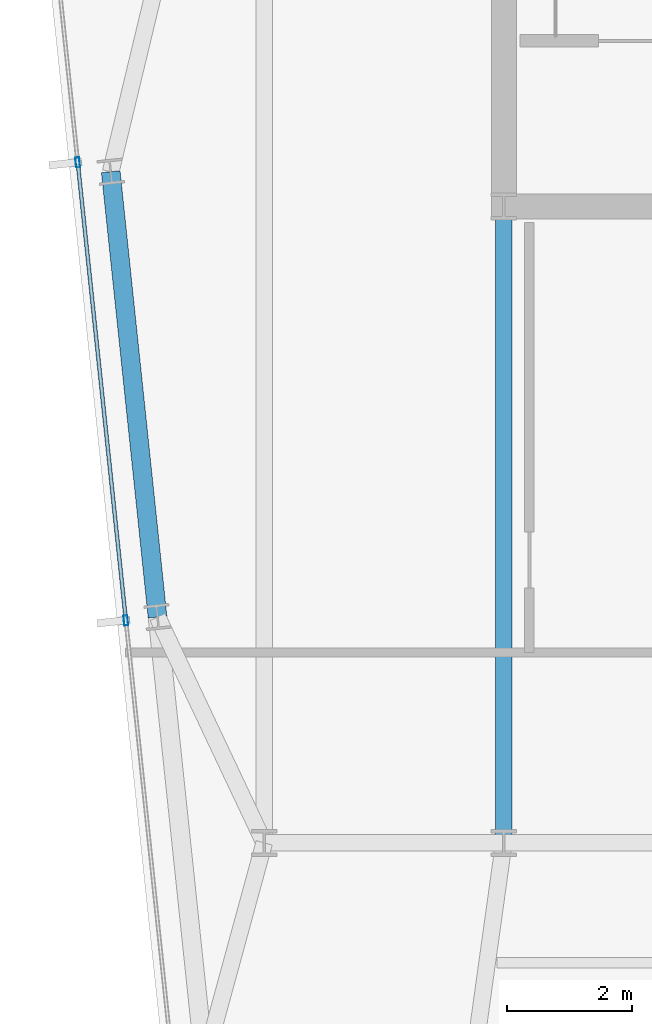
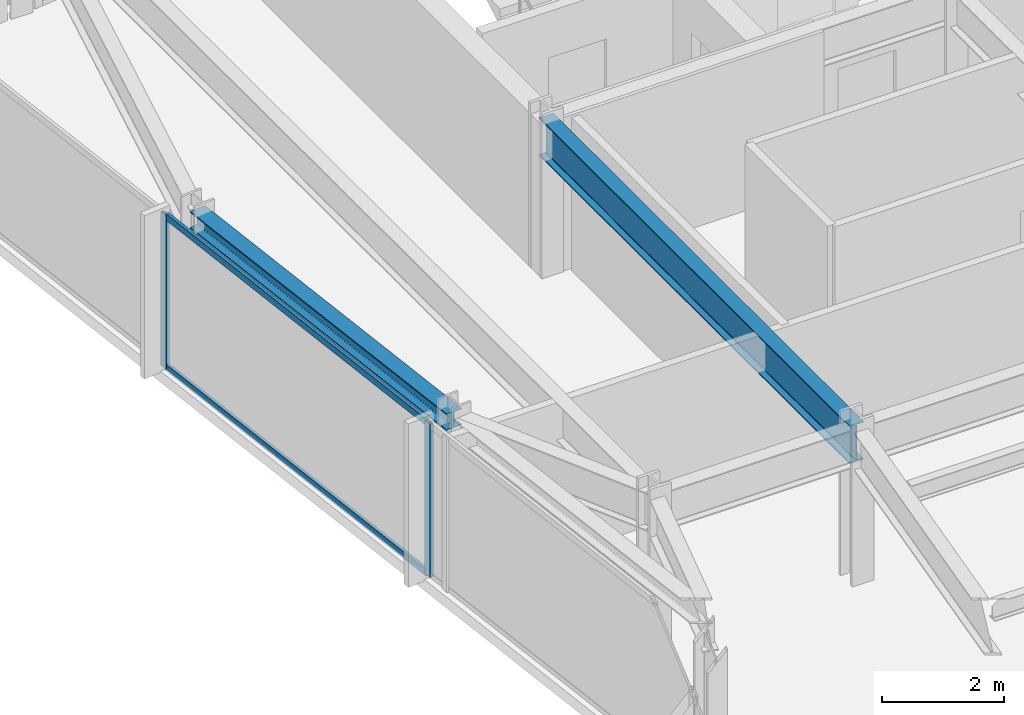
# One storey, part 10 of 32: 4 members, 2 beams, 1 element without a shape of its own.
"""IFC4 building model written with IfcOpenShell, lengths in metres."""

from ifc_helpers import new_model, si_unit, direction, frame, origin, origin_2d, place, context, subcontext, project, spatial, hollow_rectangle, i_section, extrude, material, material_profile, profile_set, type_object, element, aggregate, save


model = new_model("IFC4")

# Units and contexts
model_context = context("Model", 3, precision=1e-05, world=origin(), true_north=direction((0.0, 1.0)))
body_context = subcontext(model_context, "Body", "Model", "MODEL_VIEW")
ifc_project = project(units=[si_unit("LENGTHUNIT", "METRE"), si_unit("AREAUNIT", "SQUARE_METRE"), si_unit("VOLUMEUNIT", "CUBIC_METRE"), si_unit("PLANEANGLEUNIT", "RADIAN"), si_unit("MASSUNIT", "GRAM", prefix="KILO")], contexts=[model_context])

# Site, building, storey
site_placement = place(None, origin())
site = spatial("IfcSite", under=ifc_project, at=site_placement, CompositionType="ELEMENT")
building_placement = place(site_placement, origin())
building = spatial("IfcBuilding", under=site, at=building_placement, Name="Yelkora Congress Tower", CompositionType="ELEMENT")
storey_placement = place(building_placement, frame((0.0, 0.0, 207.800048828125)))
storey = spatial("IfcBuildingStorey", under=building, at=storey_placement, Name="L57", CompositionType="ELEMENT", Elevation=207.800048828125)

# Beams
ifc_material_1 = material(Name="Steel S355J2", Category="steel")
ifc_material_profile_1 = material_profile(ifc_material_1, i_section(OverallWidth=0.26708984375, OverallDepth=0.761962890625, WebThickness=0.014404296875, FlangeThickness=0.021484375, FilletRadius=0.01708984375, at=origin_2d()), Name="IPE 750x173")
ifc_profile_set_1 = profile_set([ifc_material_profile_1], Name="Steel S355J2")
beam_type_1 = type_object("IfcBeamType", Name="BM-GIRD-IPE750", PredefinedType="BEAM", material=ifc_profile_set_1)
beam_1_placement = place(storey_placement, frame((23.0400390625, 25.199951171875, 2.698974609375), z_axis=(0.0, 1.0, 0.0), x_axis=(-1.0, 0.0, 0.0)))
element("IfcBeam", 1, at=beam_1_placement, inside=storey, type_object=beam_type_1, Name="L57 Core Tie Girder MC-D1", PredefinedType="BEAM", context=body_context, shape_type="SweptSolid", body=[
    extrude(i_section(OverallWidth=0.26708984375, OverallDepth=0.761962890625, WebThickness=0.014404296875, FlangeThickness=0.021484375, FilletRadius=0.01708984375, at=origin_2d()), origin(), (0.0, 0.0, 1.0), 10.199951171875),
])
ifc_material_profile_2 = material_profile(ifc_material_1, i_section(OverallWidth=0.300048828125, OverallDepth=0.340087890625, WebThickness=0.011962890625, FlangeThickness=0.021484375, FilletRadius=0.027099609375, at=origin_2d()), Name="HEB 340")
ifc_profile_set_2 = profile_set([ifc_material_profile_2], Name="Steel S355J2")
beam_type_2 = type_object("IfcBeamType", Name="BM-SPAN-HEB340", PredefinedType="SPANDREL", material=ifc_profile_set_2)
beam_2_placement = place(storey_placement, frame((16.7412109375, 35.95458984375, 2.909912109375), z_axis=(0.104528914631, -0.994521847928, 0.0), x_axis=(0.994521847928, 0.104528914631, 0.0)))
element("IfcBeam", 2, at=beam_2_placement, inside=storey, type_object=beam_type_2, Name="L57 Perimeter Beam 17", PredefinedType="SPANDREL", context=body_context, shape_type="SweptSolid", body=[
    extrude(i_section(OverallWidth=0.300048828125, OverallDepth=0.340087890625, WebThickness=0.011962890625, FlangeThickness=0.021484375, FilletRadius=0.027099609375, at=origin_2d()), origin(), (0.0, 0.0, 1.0), 7.175048828125),
])

# Curtain wall, members
ifc_material_2 = material(Name="Anodised aluminium and insulated glass", Category="aluminium")
curtain_wall_type = type_object("IfcCurtainWallType", Name="CW-SYS-B4", PredefinedType="NOTDEFINED", material=ifc_material_2)
curtain_wall_placement = place(storey_placement, origin())
curtain_wall = element("IfcCurtainWall", 3, at=curtain_wall_placement, inside=storey, type_object=curtain_wall_type, Name="L57 Unitised Curtain Wall 5", PredefinedType="NOTDEFINED")
ifc_material_3 = material(Name="Anodised aluminium 6063-T6", Category="aluminium")
ifc_material_profile_3 = material_profile(ifc_material_3, hollow_rectangle(XDim=0.06494140625, YDim=0.159912109375, WallThickness=0.00390625, at=origin_2d()), Name="ALU 65x160x4")
ifc_profile_set_3 = profile_set([ifc_material_profile_3], Name="Anodised aluminium 6063-T6")
member_type_1 = type_object("IfcMemberType", Name="MEM-ML-B4", PredefinedType="MULLION", material=ifc_profile_set_3)
member_1_placement = place(storey_placement, frame((16.98388671875, 28.765625, 0.0), z_axis=(0.0, 0.0, 1.0), x_axis=(-0.994522145958, -0.104526079034, 0.0)))
member_1 = element("IfcMember", 4, at=member_1_placement, type_object=member_type_1, Name="CW-B4 mullion 3", PredefinedType="MULLION", context=body_context, shape_type="SweptSolid", body=[
    extrude(hollow_rectangle(XDim=0.06494140625, YDim=0.159912109375, WallThickness=0.00390625, at=origin_2d()), origin(), (0.0, 0.0, 1.0), 3.079833984375),
])
member_2_placement = place(storey_placement, frame((16.21240234375, 36.105224609375, 0.0), z_axis=(0.0, 0.0, 1.0), x_axis=(-0.994522145958, -0.104526079034, 0.0)))
member_2 = element("IfcMember", 5, at=member_2_placement, type_object=member_type_1, Name="CW-B4 mullion 4", PredefinedType="MULLION", context=body_context, shape_type="SweptSolid", body=[
    extrude(hollow_rectangle(XDim=0.06494140625, YDim=0.159912109375, WallThickness=0.00390625, at=origin_2d()), origin(), (0.0, 0.0, 1.0), 3.079833984375),
])
ifc_material_profile_4 = material_profile(ifc_material_3, hollow_rectangle(XDim=0.06005859375, YDim=0.1298828125, WallThickness=0.00390625, at=origin_2d()), Name="ALU 60x130x4")
ifc_profile_set_4 = profile_set([ifc_material_profile_4], Name="Anodised aluminium 6063-T6")
member_type_2 = type_object("IfcMemberType", Name="MEM-TR-B4", PredefinedType="USERDEFINED", material=ifc_profile_set_4)
member_3_placement = place(storey_placement, frame((16.98046875, 28.7978515625, 0.030029296875), z_axis=(-0.104531896307, 0.994521534535, 0.0), x_axis=(-0.994521534535, -0.104531896307, 0.0)))
member_3 = element("IfcMember", 6, at=member_3_placement, type_object=member_type_2, Name="CW-B4 transom 3.1", ObjectType="TRANSOM", PredefinedType="USERDEFINED", context=body_context, shape_type="SweptSolid", body=[
    extrude(hollow_rectangle(XDim=0.06005859375, YDim=0.1298828125, WallThickness=0.00390625, at=origin_2d()), origin(), (0.0, 0.0, 1.0), 7.31494140625),
])
member_4_placement = place(storey_placement, frame((16.98046875, 28.7978515625, 3.050048828125), z_axis=(-0.104531896307, 0.994521534535, 0.0), x_axis=(-0.994521534535, -0.104531896307, 0.0)))
member_4 = element("IfcMember", 7, at=member_4_placement, type_object=member_type_2, Name="CW-B4 transom 3.2", ObjectType="TRANSOM", PredefinedType="USERDEFINED", context=body_context, shape_type="SweptSolid", body=[
    extrude(hollow_rectangle(XDim=0.06005859375, YDim=0.1298828125, WallThickness=0.00390625, at=origin_2d()), origin(), (0.0, 0.0, 1.0), 7.31494140625),
])
aggregate(curtain_wall, [member_1, member_2, member_3, member_4])

save(model, "model.ifc")
